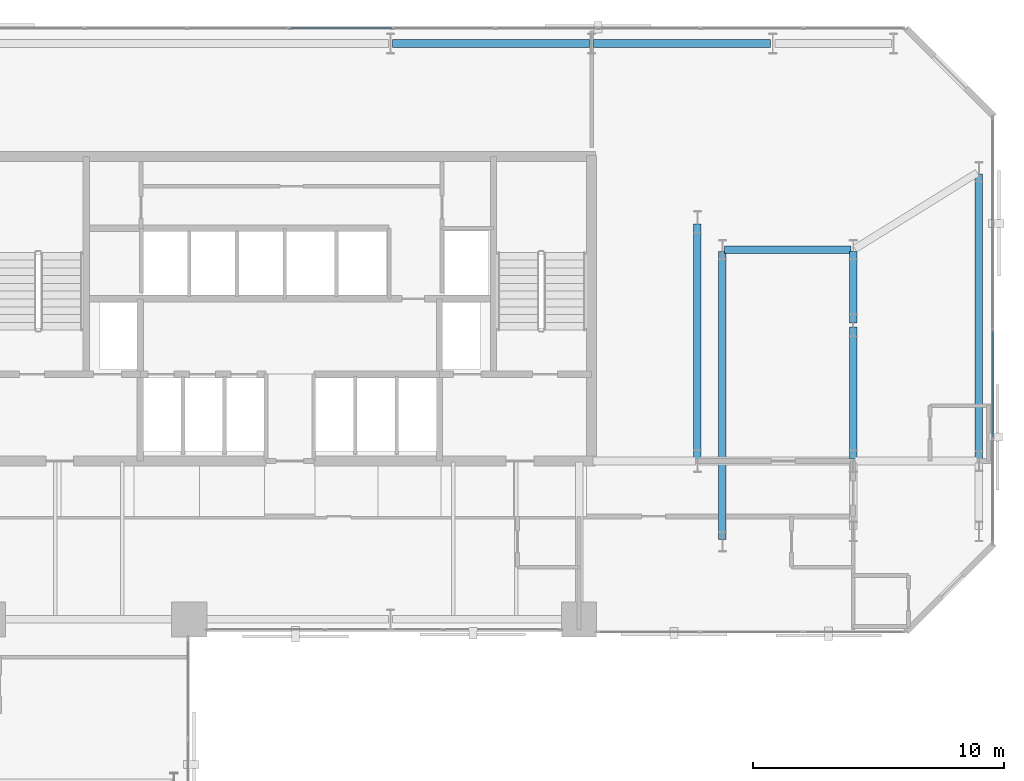
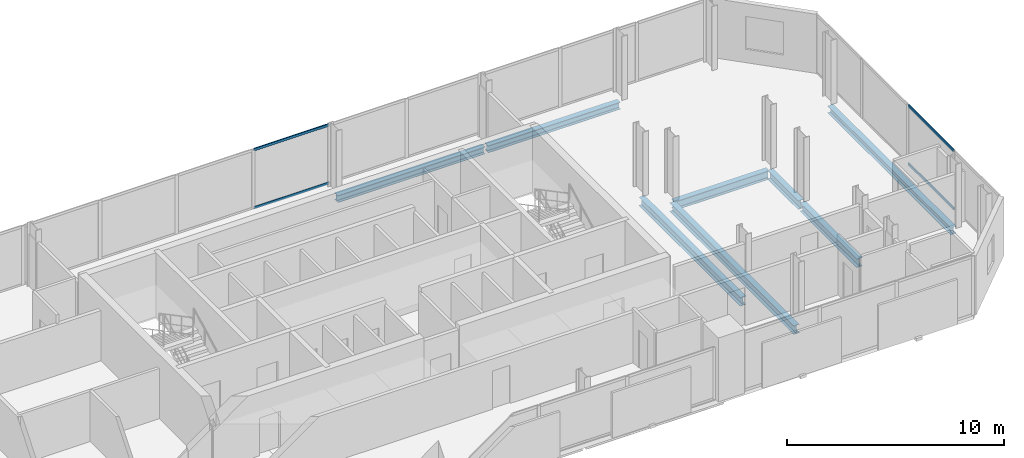
# One storey, part 24 of 33: 8 beams, 4 members, 2 elements without a shape of their own.
"""IFC4 building model written with IfcOpenShell, lengths in metres."""

from ifc_helpers import new_model, si_unit, direction, frame, origin, origin_2d, place, context, subcontext, project, spatial, hollow_rectangle, i_section, extrude, material, layer, layer_set, material_profile, profile_set, type_object, element, aggregate, save


model = new_model("IFC4")

# Units and contexts
model_context = context("Model", 3, precision=1e-05, world=origin(), true_north=direction((0.0, 1.0)))
body_context = subcontext(model_context, "Body", "Model", "MODEL_VIEW")
ifc_project = project(units=[si_unit("LENGTHUNIT", "METRE"), si_unit("AREAUNIT", "SQUARE_METRE"), si_unit("VOLUMEUNIT", "CUBIC_METRE"), si_unit("PLANEANGLEUNIT", "RADIAN"), si_unit("MASSUNIT", "GRAM", prefix="KILO")], contexts=[model_context])

# Site, building, storey
site_placement = place(None, origin())
site = spatial("IfcSite", under=ifc_project, at=site_placement, CompositionType="ELEMENT")
building_placement = place(site_placement, origin())
building = spatial("IfcBuilding", under=site, at=building_placement, Name="Catumbela Crestline Tower", CompositionType="ELEMENT")
storey_placement = place(building_placement, frame((0.0, 0.0, 72.6)))
storey = spatial("IfcBuildingStorey", under=building, at=storey_placement, Name="L18", CompositionType="ELEMENT", Elevation=72.6)

# Beams
ifc_material_1 = material(Name="Structural steel S355J2", Category="steel")
ifc_material_profile_1 = material_profile(ifc_material_1, i_section(OverallWidth=0.3, OverallDepth=0.49, WebThickness=0.012, FlangeThickness=0.023, FilletRadius=0.027, at=origin_2d()), Name="HEA 500")
ifc_profile_set_1 = profile_set([ifc_material_profile_1], Name="Structural steel S355J2")
beam_type_1 = type_object("IfcBeamType", Name="BG-HEA500", PredefinedType="BEAM", material=ifc_profile_set_1)
beam_1_placement = place(storey_placement, frame((45.28, 39.2, -0.505), z_axis=(1.0, 0.0, 0.0), x_axis=(0.0, 1.0, 0.0)))
element("IfcBeam", 1, at=beam_1_placement, inside=storey, type_object=beam_type_1, Name="L18 Beam BM-L18-N17", PredefinedType="BEAM", context=body_context, shape_type="SweptSolid", body=[
    extrude(i_section(OverallWidth=0.3, OverallDepth=0.49, WebThickness=0.012, FlangeThickness=0.023, FilletRadius=0.027, at=origin_2d()), origin(), (0.0, 0.0, 1.0), 5.04),
])
beam_2_placement = place(storey_placement, frame((44.2, 30.88, -0.505), z_axis=(0.0, 1.0, 0.0), x_axis=(-1.0, 0.0, 0.0)))
element("IfcBeam", 2, at=beam_2_placement, inside=storey, type_object=beam_type_1, Name="L18 Beam BM-L18-SN35", PredefinedType="BEAM", context=body_context, shape_type="SweptSolid", body=[
    extrude(i_section(OverallWidth=0.3, OverallDepth=0.49, WebThickness=0.012, FlangeThickness=0.023, FilletRadius=0.027, at=origin_2d()), origin(), (0.0, 0.0, 1.0), 9.34),
])
beam_3_placement = place(storey_placement, frame((45.2, 27.68, -0.505), z_axis=(0.0, 1.0, 0.0), x_axis=(-1.0, 0.0, 0.0)))
element("IfcBeam", 3, at=beam_3_placement, inside=storey, type_object=beam_type_1, Name="L18 Beam BM-L18-SN36", PredefinedType="BEAM", context=body_context, shape_type="SweptSolid", body=[
    extrude(i_section(OverallWidth=0.3, OverallDepth=0.49, WebThickness=0.012, FlangeThickness=0.023, FilletRadius=0.027, at=origin_2d()), origin(), (0.0, 0.0, 1.0), 11.44),
])
beam_4_placement = place(storey_placement, frame((50.4, 30.88, -0.505), z_axis=(0.0, 1.0, 0.0), x_axis=(-1.0, 0.0, 0.0)))
element("IfcBeam", 4, at=beam_4_placement, inside=storey, type_object=beam_type_1, Name="L18 Beam BM-L18-SN38", PredefinedType="BEAM", context=body_context, shape_type="SweptSolid", body=[
    extrude(i_section(OverallWidth=0.3, OverallDepth=0.49, WebThickness=0.012, FlangeThickness=0.023, FilletRadius=0.027, at=origin_2d()), origin(), (0.0, 0.0, 1.0), 5.24),
])
beam_5_placement = place(storey_placement, frame((50.4, 36.28, -0.505), z_axis=(0.0, 1.0, 0.0), x_axis=(-1.0, 0.0, 0.0)))
element("IfcBeam", 5, at=beam_5_placement, inside=storey, type_object=beam_type_1, Name="L18 Beam BM-L18-SN39", PredefinedType="BEAM", context=body_context, shape_type="SweptSolid", body=[
    extrude(i_section(OverallWidth=0.3, OverallDepth=0.49, WebThickness=0.012, FlangeThickness=0.023, FilletRadius=0.027, at=origin_2d()), origin(), (0.0, 0.0, 1.0), 2.84),
])
ifc_material_profile_2 = material_profile(ifc_material_1, i_section(OverallWidth=0.3, OverallDepth=0.4, WebThickness=0.0135, FlangeThickness=0.024, FilletRadius=0.027, at=origin_2d()), Name="HEB 400")
ifc_profile_set_2 = profile_set([ifc_material_profile_2], Name="Structural steel S355J2")
beam_type_2 = type_object("IfcBeamType", Name="BS-HEB400", PredefinedType="SPANDREL", material=ifc_profile_set_2)
beam_6_placement = place(storey_placement, frame((32.08, 47.4, -0.46), z_axis=(1.0, 0.0, 0.0), x_axis=(0.0, 1.0, 0.0)))
element("IfcBeam", 6, at=beam_6_placement, inside=storey, type_object=beam_type_2, Name="L18 Spandrel SP-L18-NF22", PredefinedType="SPANDREL", context=body_context, shape_type="SweptSolid", body=[
    extrude(i_section(OverallWidth=0.3, OverallDepth=0.4, WebThickness=0.0135, FlangeThickness=0.024, FilletRadius=0.027, at=origin_2d()), origin(), (0.0, 0.0, 1.0), 7.84),
])
beam_7_placement = place(storey_placement, frame((40.08, 47.4, -0.46), z_axis=(1.0, 0.0, 0.0), x_axis=(0.0, 1.0, 0.0)))
element("IfcBeam", 7, at=beam_7_placement, inside=storey, type_object=beam_type_2, Name="L18 Spandrel SP-L18-NF23", PredefinedType="SPANDREL", context=body_context, shape_type="SweptSolid", body=[
    extrude(i_section(OverallWidth=0.3, OverallDepth=0.4, WebThickness=0.0135, FlangeThickness=0.024, FilletRadius=0.027, at=origin_2d()), origin(), (0.0, 0.0, 1.0), 7.04),
])
beam_8_placement = place(storey_placement, frame((55.4, 30.88, -0.46), z_axis=(0.0, 1.0, 0.0), x_axis=(-1.0, 0.0, 0.0)))
element("IfcBeam", 8, at=beam_8_placement, inside=storey, type_object=beam_type_2, Name="L18 Spandrel SP-L18-SN41", PredefinedType="SPANDREL", context=body_context, shape_type="SweptSolid", body=[
    extrude(i_section(OverallWidth=0.3, OverallDepth=0.4, WebThickness=0.0135, FlangeThickness=0.024, FilletRadius=0.027, at=origin_2d()), origin(), (0.0, 0.0, 1.0), 11.34),
])

# Curtain wall, members
ifc_material_2 = material(Name="Aluminium alloy AW-6060-T66", Category="aluminium")
ifc_layer = layer(ifc_material_2, 0.18, Name="Aluminium alloy AW-6060-T66")
ifc_layer_set = layer_set([ifc_layer], Name="Aluminium alloy AW-6060-T66")
curtain_wall_type = type_object("IfcCurtainWallType", Name="CWU-Z1", PredefinedType="USERDEFINED", material=ifc_layer_set)
curtain_wall_1_placement = place(storey_placement, origin())
curtain_wall_1 = element("IfcCurtainWall", 9, at=curtain_wall_1_placement, inside=storey, type_object=curtain_wall_type, Name="L18 Unitised Curtain Wall CW-L18-E5S1", ObjectType="UNITISED", PredefinedType="USERDEFINED")
ifc_material_profile_3 = material_profile(ifc_material_2, hollow_rectangle(XDim=0.06, YDim=0.14, WallThickness=0.004, at=origin_2d()), Name="ALU 140x60x4")
ifc_profile_set_3 = profile_set([ifc_material_profile_3], Name="Aluminium alloy AW-6060-T66")
member_type = type_object("IfcMemberType", Name="TRN-140X60", PredefinedType="USERDEFINED", material=ifc_profile_set_3)
member_1_placement = place(storey_placement, frame((55.95, 31.7825, 0.03), z_axis=(0.0, 1.0, 0.0), x_axis=(-1.0, 0.0, 0.0)))
member_1 = element("IfcMember", 10, at=member_1_placement, type_object=member_type, Name="CWU-Z1 transom 2.1", ObjectType="TRANSOM", PredefinedType="USERDEFINED", context=body_context, shape_type="SweptSolid", body=[
    extrude(hollow_rectangle(XDim=0.06, YDim=0.14, WallThickness=0.004, at=origin_2d()), origin(), (0.0, 0.0, 1.0), 4.185),
])
member_2_placement = place(storey_placement, frame((55.95, 31.7825, 3.3), z_axis=(0.0, 1.0, 0.0), x_axis=(-1.0, 0.0, 0.0)))
member_2 = element("IfcMember", 11, at=member_2_placement, type_object=member_type, Name="CWU-Z1 transom 2.2", ObjectType="TRANSOM", PredefinedType="USERDEFINED", context=body_context, shape_type="SweptSolid", body=[
    extrude(hollow_rectangle(XDim=0.06, YDim=0.14, WallThickness=0.004, at=origin_2d()), origin(), (0.0, 0.0, 1.0), 4.185),
])
aggregate(curtain_wall_1, [member_1, member_2])

curtain_wall_2_placement = place(storey_placement, origin())
curtain_wall_2 = element("IfcCurtainWall", 12, at=curtain_wall_2_placement, inside=storey, type_object=curtain_wall_type, Name="L18 Unitised Curtain Wall CW-L18-E7S1", ObjectType="UNITISED", PredefinedType="USERDEFINED")
member_3_placement = place(storey_placement, frame((32.0508, 48.0, 0.03), z_axis=(-1.0, 0.0, 0.0), x_axis=(0.0, -1.0, 0.0)))
member_3 = element("IfcMember", 13, at=member_3_placement, type_object=member_type, Name="CWU-Z1 transom 6.1", ObjectType="TRANSOM", PredefinedType="USERDEFINED", context=body_context, shape_type="SweptSolid", body=[
    extrude(hollow_rectangle(XDim=0.06, YDim=0.14, WallThickness=0.004, at=origin_2d()), origin(), (0.0, 0.0, 1.0), 4.0183),
])
member_4_placement = place(storey_placement, frame((32.0508, 48.0, 3.3), z_axis=(-1.0, 0.0, 0.0), x_axis=(0.0, -1.0, 0.0)))
member_4 = element("IfcMember", 14, at=member_4_placement, type_object=member_type, Name="CWU-Z1 transom 6.2", ObjectType="TRANSOM", PredefinedType="USERDEFINED", context=body_context, shape_type="SweptSolid", body=[
    extrude(hollow_rectangle(XDim=0.06, YDim=0.14, WallThickness=0.004, at=origin_2d()), origin(), (0.0, 0.0, 1.0), 4.0183),
])
aggregate(curtain_wall_2, [member_3, member_4])

save(model, "model.ifc")
